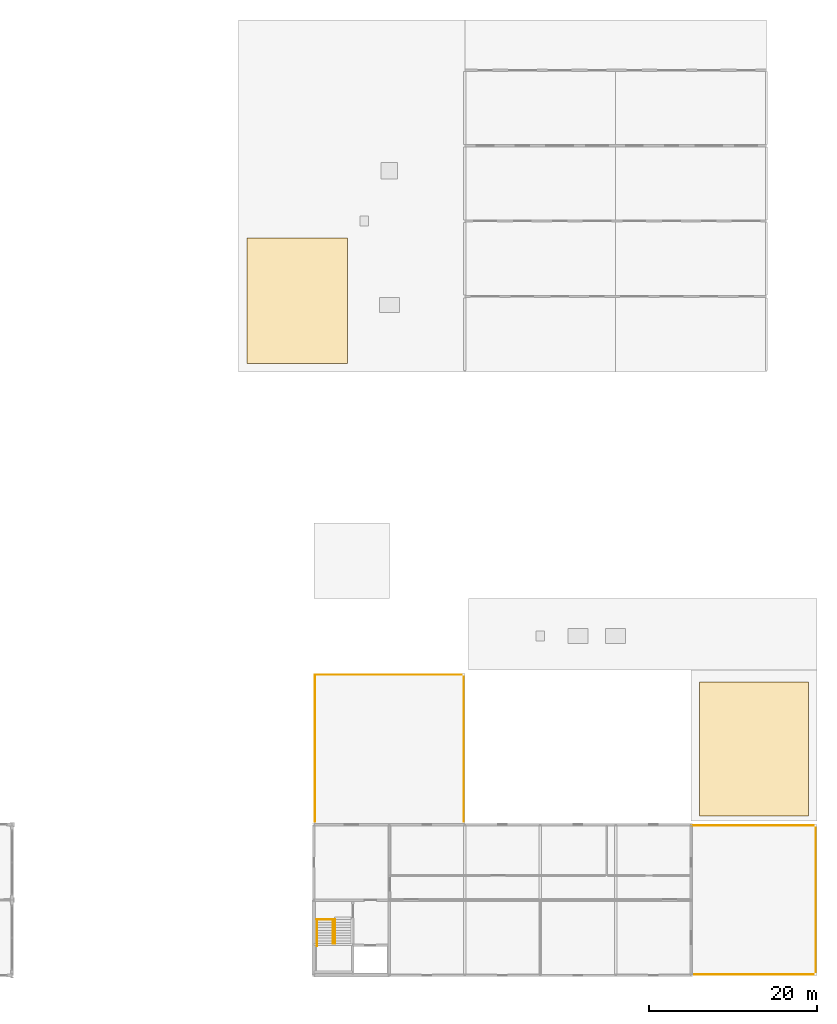
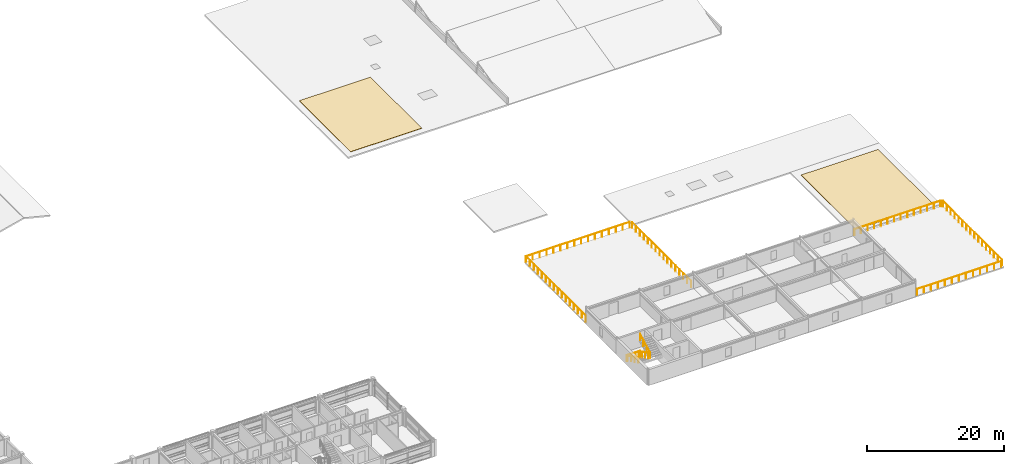
# One storey, part 37 of 37: 9 railings, 2 coverings.
"""IFC4 building model written with IfcOpenShell, lengths in metres."""

from ifc_helpers import new_model, si_unit, direction, frame, origin, origin_2d, place, context, subcontext, project, spatial, polyline, circle, outline, extrude, material, layer, layer_set, type_object, element, save


model = new_model("IFC4")

# Units and contexts
model_context = context("Model", 3, precision=1e-05, world=origin(), true_north=direction((0.0, 1.0)))
body_context = subcontext(model_context, "Body", "Model", "MODEL_VIEW")
ifc_project = project(units=[si_unit("LENGTHUNIT", "METRE"), si_unit("AREAUNIT", "SQUARE_METRE"), si_unit("VOLUMEUNIT", "CUBIC_METRE"), si_unit("PLANEANGLEUNIT", "RADIAN"), si_unit("MASSUNIT", "GRAM", prefix="KILO")], contexts=[model_context])

# Site, building, storey
site_placement = place(None, origin())
site = spatial("IfcSite", under=ifc_project, at=site_placement, CompositionType="ELEMENT")
building_placement = place(site_placement, origin())
building = spatial("IfcBuilding", under=site, at=building_placement, Name="Palais des Congres Ocreval", CompositionType="ELEMENT")
storey_placement = place(building_placement, frame((0.0, 0.0, 11.52001953125)))
storey = spatial("IfcBuildingStorey", under=building, at=storey_placement, Name="L03", CompositionType="ELEMENT", Elevation=11.52001953125)

# Railings
ifc_material_1 = material(Name="Anodized bronze aluminium", Category="aluminium")
railing_type_1 = type_object("IfcRailingType", Name="Bronze Stair and Ramp Handrail 900", PredefinedType="HANDRAIL", material=ifc_material_1)
railing_1_placement = place(storey_placement, frame((108.3798828125, 6.64990234375, 0.152099609375)))
element("IfcRailing", 1, at=railing_1_placement, inside=storey, type_object=railing_type_1, Name="Stair Wall Handrail ST09 L03", PredefinedType="HANDRAIL", context=body_context, shape_type="SweptSolid", body=[
    extrude(circle(Radius=0.02392578125, at=origin_2d()), frame((0.0, 0.0, 0.8759765625), z_axis=(0.0, -0.900648683885, 0.43454798149), x_axis=(1.0, 0.0, 0.0)), (0.0, 0.0, 1.0), 3.497314453125),
    extrude(circle(Radius=0.02099609375, at=origin_2d()), origin(), (0.0, 0.0, 1.0), 0.851806640625),
    extrude(circle(Radius=0.02099609375, at=origin_2d()), frame((0.0, -1.050048828125, 0.506591796875)), (0.0, 0.0, 1.0), 0.851806640625),
    extrude(circle(Radius=0.02099609375, at=origin_2d()), frame((0.0, -2.099853515625, 1.01318359375)), (0.0, 0.0, 1.0), 0.851806640625),
    extrude(circle(Radius=0.02099609375, at=origin_2d()), frame((0.0, -3.14990234375, 1.519775390625)), (0.0, 0.0, 1.0), 0.851806640625),
])
ifc_material_2 = material(Name="Steel S355", Category="steel")
railing_type_2 = type_object("IfcRailingType", Name="Stairwell Steel Guardrail 1100", PredefinedType="GUARDRAIL", material=ifc_material_2)
railing_2_placement = place(storey_placement, frame((108.320068359375, 6.699951171875, 0.0)))
element("IfcRailing", 2, at=railing_2_placement, inside=storey, type_object=railing_type_2, Name="Stairwell Landing Edge Guard ST09 L03", PredefinedType="GUARDRAIL", context=body_context, shape_type="SweptSolid", body=[
    extrude(circle(Radius=0.02392578125, at=origin_2d()), frame((0.0, 0.0, 1.076171875), z_axis=(1.0, 0.0, 0.0), x_axis=(0.0, 1.0, 0.0)), (0.0, 0.0, 1.0), 2.199951171875),
    extrude(circle(Radius=0.02099609375, at=origin_2d()), origin(), (0.0, 0.0, 1.0), 1.052001953125),
    extrude(circle(Radius=0.02099609375, at=origin_2d()), frame((0.7333984375, 0.0, 0.0)), (0.0, 0.0, 1.0), 1.052001953125),
    extrude(circle(Radius=0.02099609375, at=origin_2d()), frame((1.466552734375, 0.0, 0.0)), (0.0, 0.0, 1.0), 1.052001953125),
    extrude(circle(Radius=0.02099609375, at=origin_2d()), frame((2.199951171875, 0.0, 0.0)), (0.0, 0.0, 1.0), 1.052001953125),
])
railing_3_placement = place(storey_placement, frame((110.280029296875, 6.64990234375, 0.0)))
element("IfcRailing", 3, at=railing_3_placement, inside=storey, type_object=railing_type_2, Name="Stair Inner Guardrail ST09 L03", PredefinedType="GUARDRAIL", context=body_context, shape_type="SweptSolid", body=[
    extrude(circle(Radius=0.02392578125, at=origin_2d()), frame((0.0, 0.0, 1.076171875), z_axis=(0.0, -0.881312927046, 0.472533093678), x_axis=(1.0, 0.0, 0.0)), (0.0, 0.0, 1.0), 3.216796875),
    extrude(circle(Radius=0.02392578125, at=origin_2d()), frame((0.0, -2.8349609375, 2.59619140625), z_axis=(1.0, 0.0, 0.0), x_axis=(0.0, 1.0, 0.0)), (0.0, 0.0, 1.0), 0.239990234375),
    extrude(circle(Radius=0.02392578125, at=origin_2d()), frame((0.239990234375, -2.8349609375, 2.59619140625), z_axis=(0.0, 0.881312927046, 0.472533093678), x_axis=(-1.0, 0.0, 0.0)), (0.0, 0.0, 1.0), 3.216796875),
    extrude(circle(Radius=0.02099609375, at=origin_2d()), origin(), (0.0, 0.0, 1.0), 1.052001953125),
    extrude(circle(Radius=0.02099609375, at=origin_2d()), frame((0.0, -0.945068359375, 0.506591796875)), (0.0, 0.0, 1.0), 1.052001953125),
    extrude(circle(Radius=0.02099609375, at=origin_2d()), frame((0.0, -1.889892578125, 1.013427734375)), (0.0, 0.0, 1.0), 1.052001953125),
    extrude(circle(Radius=0.02099609375, at=origin_2d()), frame((0.0, -2.8349609375, 1.52001953125)), (0.0, 0.0, 1.0), 1.052001953125),
    extrude(circle(Radius=0.02099609375, at=origin_2d()), frame((0.239990234375, -2.8349609375, 1.52001953125)), (0.0, 0.0, 1.0), 1.052001953125),
    extrude(circle(Radius=0.02099609375, at=origin_2d()), frame((0.239990234375, -1.889892578125, 2.026611328125)), (0.0, 0.0, 1.0), 1.052001953125),
    extrude(circle(Radius=0.02099609375, at=origin_2d()), frame((0.239990234375, -0.945068359375, 2.533447265625)), (0.0, 0.0, 1.0), 1.052001953125),
    extrude(circle(Radius=0.02099609375, at=origin_2d()), frame((0.239990234375, 0.0, 3.0400390625)), (0.0, 0.0, 1.0), 1.052001953125),
])
railing_type_3 = type_object("IfcRailingType", Name="Terrace Bronze Balustrade 1100", PredefinedType="BALUSTRADE", material=ifc_material_1)
railing_4_placement = place(storey_placement, frame((153.3798828125, 0.1201171875, 0.0)))
element("IfcRailing", 4, at=railing_4_placement, inside=storey, type_object=railing_type_3, Name="Terrace Guard Balustrade TER-L03-V3E-1", PredefinedType="BALUSTRADE", context=body_context, shape_type="SweptSolid", body=[
    extrude(circle(Radius=0.02392578125, at=origin_2d()), frame((0.0, 0.0, 1.076171875), z_axis=(1.0, 0.0, 0.0), x_axis=(0.0, 1.0, 0.0)), (0.0, 0.0, 1.0), 14.240234375),
    extrude(circle(Radius=0.02099609375, at=origin_2d()), origin(), (0.0, 0.0, 1.0), 1.052001953125),
    extrude(circle(Radius=0.02099609375, at=origin_2d()), frame((1.186767578125, 0.0, 0.0)), (0.0, 0.0, 1.0), 1.052001953125),
    extrude(circle(Radius=0.02099609375, at=origin_2d()), frame((2.373291015625, 0.0, 0.0)), (0.0, 0.0, 1.0), 1.052001953125),
    extrude(circle(Radius=0.02099609375, at=origin_2d()), frame((3.56005859375, 0.0, 0.0)), (0.0, 0.0, 1.0), 1.052001953125),
    extrude(circle(Radius=0.02099609375, at=origin_2d()), frame((4.746826171875, 0.0, 0.0)), (0.0, 0.0, 1.0), 1.052001953125),
    extrude(circle(Radius=0.02099609375, at=origin_2d()), frame((5.933349609375, 0.0, 0.0)), (0.0, 0.0, 1.0), 1.052001953125),
    extrude(circle(Radius=0.02099609375, at=origin_2d()), frame((7.1201171875, 0.0, 0.0)), (0.0, 0.0, 1.0), 1.052001953125),
    extrude(circle(Radius=0.02099609375, at=origin_2d()), frame((8.306884765625, 0.0, 0.0)), (0.0, 0.0, 1.0), 1.052001953125),
    extrude(circle(Radius=0.02099609375, at=origin_2d()), frame((9.493408203125, 0.0, 0.0)), (0.0, 0.0, 1.0), 1.052001953125),
    extrude(circle(Radius=0.02099609375, at=origin_2d()), frame((10.68017578125, 0.0, 0.0)), (0.0, 0.0, 1.0), 1.052001953125),
    extrude(circle(Radius=0.02099609375, at=origin_2d()), frame((11.866943359375, 0.0, 0.0)), (0.0, 0.0, 1.0), 1.052001953125),
    extrude(circle(Radius=0.02099609375, at=origin_2d()), frame((13.053466796875, 0.0, 0.0)), (0.0, 0.0, 1.0), 1.052001953125),
    extrude(circle(Radius=0.02099609375, at=origin_2d()), frame((14.240234375, 0.0, 0.0)), (0.0, 0.0, 1.0), 1.052001953125),
])
railing_5_placement = place(storey_placement, frame((167.8798828125, 0.3798828125, 0.0)))
element("IfcRailing", 5, at=railing_5_placement, inside=storey, type_object=railing_type_3, Name="Terrace Guard Balustrade TER-L03-V3E-2", PredefinedType="BALUSTRADE", context=body_context, shape_type="SweptSolid", body=[
    extrude(circle(Radius=0.02392578125, at=origin_2d()), frame((0.0, 0.0, 1.076171875), z_axis=(0.0, 1.0, 0.0), x_axis=(-1.0, 0.0, 0.0)), (0.0, 0.0, 1.0), 17.240234375),
    extrude(circle(Radius=0.02099609375, at=origin_2d()), origin(), (0.0, 0.0, 1.0), 1.052001953125),
    extrude(circle(Radius=0.02099609375, at=origin_2d()), frame((0.0, 1.1494140625, 0.0)), (0.0, 0.0, 1.0), 1.052001953125),
    extrude(circle(Radius=0.02099609375, at=origin_2d()), frame((0.0, 2.298583984375, 0.0)), (0.0, 0.0, 1.0), 1.052001953125),
    extrude(circle(Radius=0.02099609375, at=origin_2d()), frame((0.0, 3.447998046875, 0.0)), (0.0, 0.0, 1.0), 1.052001953125),
    extrude(circle(Radius=0.02099609375, at=origin_2d()), frame((0.0, 4.597412109375, 0.0)), (0.0, 0.0, 1.0), 1.052001953125),
    extrude(circle(Radius=0.02099609375, at=origin_2d()), frame((0.0, 5.746826171875, 0.0)), (0.0, 0.0, 1.0), 1.052001953125),
    extrude(circle(Radius=0.02099609375, at=origin_2d()), frame((0.0, 6.89599609375, 0.0)), (0.0, 0.0, 1.0), 1.052001953125),
    extrude(circle(Radius=0.02099609375, at=origin_2d()), frame((0.0, 8.04541015625, 0.0)), (0.0, 0.0, 1.0), 1.052001953125),
    extrude(circle(Radius=0.02099609375, at=origin_2d()), frame((0.0, 9.19482421875, 0.0)), (0.0, 0.0, 1.0), 1.052001953125),
    extrude(circle(Radius=0.02099609375, at=origin_2d()), frame((0.0, 10.34423828125, 0.0)), (0.0, 0.0, 1.0), 1.052001953125),
    extrude(circle(Radius=0.02099609375, at=origin_2d()), frame((0.0, 11.493408203125, 0.0)), (0.0, 0.0, 1.0), 1.052001953125),
    extrude(circle(Radius=0.02099609375, at=origin_2d()), frame((0.0, 12.642822265625, 0.0)), (0.0, 0.0, 1.0), 1.052001953125),
    extrude(circle(Radius=0.02099609375, at=origin_2d()), frame((0.0, 13.792236328125, 0.0)), (0.0, 0.0, 1.0), 1.052001953125),
    extrude(circle(Radius=0.02099609375, at=origin_2d()), frame((0.0, 14.941650390625, 0.0)), (0.0, 0.0, 1.0), 1.052001953125),
    extrude(circle(Radius=0.02099609375, at=origin_2d()), frame((0.0, 16.0908203125, 0.0)), (0.0, 0.0, 1.0), 1.052001953125),
    extrude(circle(Radius=0.02099609375, at=origin_2d()), frame((0.0, 17.240234375, 0.0)), (0.0, 0.0, 1.0), 1.052001953125),
])
railing_6_placement = place(storey_placement, frame((167.6201171875, 17.8798828125, 0.0)))
element("IfcRailing", 6, at=railing_6_placement, inside=storey, type_object=railing_type_3, Name="Terrace Guard Balustrade TER-L03-V3E-3", PredefinedType="BALUSTRADE", context=body_context, shape_type="SweptSolid", body=[
    extrude(circle(Radius=0.02392578125, at=origin_2d()), frame((0.0, 0.0, 1.076171875), z_axis=(-1.0, 0.0, 0.0), x_axis=(0.0, -1.0, 0.0)), (0.0, 0.0, 1.0), 14.5),
    extrude(circle(Radius=0.02099609375, at=origin_2d()), origin(), (0.0, 0.0, 1.0), 1.052001953125),
    extrude(circle(Radius=0.02099609375, at=origin_2d()), frame((-1.115478515625, 0.0, 0.0)), (0.0, 0.0, 1.0), 1.052001953125),
    extrude(circle(Radius=0.02099609375, at=origin_2d()), frame((-2.230712890625, 0.0, 0.0)), (0.0, 0.0, 1.0), 1.052001953125),
    extrude(circle(Radius=0.02099609375, at=origin_2d()), frame((-3.34619140625, 0.0, 0.0)), (0.0, 0.0, 1.0), 1.052001953125),
    extrude(circle(Radius=0.02099609375, at=origin_2d()), frame((-4.46142578125, 0.0, 0.0)), (0.0, 0.0, 1.0), 1.052001953125),
    extrude(circle(Radius=0.02099609375, at=origin_2d()), frame((-5.576904296875, 0.0, 0.0)), (0.0, 0.0, 1.0), 1.052001953125),
    extrude(circle(Radius=0.02099609375, at=origin_2d()), frame((-6.6923828125, 0.0, 0.0)), (0.0, 0.0, 1.0), 1.052001953125),
    extrude(circle(Radius=0.02099609375, at=origin_2d()), frame((-7.8076171875, 0.0, 0.0)), (0.0, 0.0, 1.0), 1.052001953125),
    extrude(circle(Radius=0.02099609375, at=origin_2d()), frame((-8.923095703125, 0.0, 0.0)), (0.0, 0.0, 1.0), 1.052001953125),
    extrude(circle(Radius=0.02099609375, at=origin_2d()), frame((-10.03857421875, 0.0, 0.0)), (0.0, 0.0, 1.0), 1.052001953125),
    extrude(circle(Radius=0.02099609375, at=origin_2d()), frame((-11.15380859375, 0.0, 0.0)), (0.0, 0.0, 1.0), 1.052001953125),
    extrude(circle(Radius=0.02099609375, at=origin_2d()), frame((-12.269287109375, 0.0, 0.0)), (0.0, 0.0, 1.0), 1.052001953125),
    extrude(circle(Radius=0.02099609375, at=origin_2d()), frame((-13.384521484375, 0.0, 0.0)), (0.0, 0.0, 1.0), 1.052001953125),
    extrude(circle(Radius=0.02099609375, at=origin_2d()), frame((-14.5, 0.0, 0.0)), (0.0, 0.0, 1.0), 1.052001953125),
])
railing_7_placement = place(storey_placement, frame((125.8798828125, 18.3798828125, 0.0)))
element("IfcRailing", 7, at=railing_7_placement, inside=storey, type_object=railing_type_3, Name="Terrace Guard Balustrade TER-L03-V3N-2", PredefinedType="BALUSTRADE", context=body_context, shape_type="SweptSolid", body=[
    extrude(circle(Radius=0.02392578125, at=origin_2d()), frame((0.0, 0.0, 1.076171875), z_axis=(0.0, 1.0, 0.0), x_axis=(-1.0, 0.0, 0.0)), (0.0, 0.0, 1.0), 17.240234375),
    extrude(circle(Radius=0.02099609375, at=origin_2d()), origin(), (0.0, 0.0, 1.0), 1.052001953125),
    extrude(circle(Radius=0.02099609375, at=origin_2d()), frame((0.0, 1.1494140625, 0.0)), (0.0, 0.0, 1.0), 1.052001953125),
    extrude(circle(Radius=0.02099609375, at=origin_2d()), frame((0.0, 2.298583984375, 0.0)), (0.0, 0.0, 1.0), 1.052001953125),
    extrude(circle(Radius=0.02099609375, at=origin_2d()), frame((0.0, 3.447998046875, 0.0)), (0.0, 0.0, 1.0), 1.052001953125),
    extrude(circle(Radius=0.02099609375, at=origin_2d()), frame((0.0, 4.597412109375, 0.0)), (0.0, 0.0, 1.0), 1.052001953125),
    extrude(circle(Radius=0.02099609375, at=origin_2d()), frame((0.0, 5.746826171875, 0.0)), (0.0, 0.0, 1.0), 1.052001953125),
    extrude(circle(Radius=0.02099609375, at=origin_2d()), frame((0.0, 6.89599609375, 0.0)), (0.0, 0.0, 1.0), 1.052001953125),
    extrude(circle(Radius=0.02099609375, at=origin_2d()), frame((0.0, 8.04541015625, 0.0)), (0.0, 0.0, 1.0), 1.052001953125),
    extrude(circle(Radius=0.02099609375, at=origin_2d()), frame((0.0, 9.19482421875, 0.0)), (0.0, 0.0, 1.0), 1.052001953125),
    extrude(circle(Radius=0.02099609375, at=origin_2d()), frame((0.0, 10.34423828125, 0.0)), (0.0, 0.0, 1.0), 1.052001953125),
    extrude(circle(Radius=0.02099609375, at=origin_2d()), frame((0.0, 11.493408203125, 0.0)), (0.0, 0.0, 1.0), 1.052001953125),
    extrude(circle(Radius=0.02099609375, at=origin_2d()), frame((0.0, 12.642822265625, 0.0)), (0.0, 0.0, 1.0), 1.052001953125),
    extrude(circle(Radius=0.02099609375, at=origin_2d()), frame((0.0, 13.792236328125, 0.0)), (0.0, 0.0, 1.0), 1.052001953125),
    extrude(circle(Radius=0.02099609375, at=origin_2d()), frame((0.0, 14.941650390625, 0.0)), (0.0, 0.0, 1.0), 1.052001953125),
    extrude(circle(Radius=0.02099609375, at=origin_2d()), frame((0.0, 16.0908203125, 0.0)), (0.0, 0.0, 1.0), 1.052001953125),
    extrude(circle(Radius=0.02099609375, at=origin_2d()), frame((0.0, 17.240234375, 0.0)), (0.0, 0.0, 1.0), 1.052001953125),
])
railing_8_placement = place(storey_placement, frame((125.6201171875, 35.8798828125, 0.0)))
element("IfcRailing", 8, at=railing_8_placement, inside=storey, type_object=railing_type_3, Name="Terrace Guard Balustrade TER-L03-V3N-3", PredefinedType="BALUSTRADE", context=body_context, shape_type="SweptSolid", body=[
    extrude(circle(Radius=0.02392578125, at=origin_2d()), frame((0.0, 0.0, 1.076171875), z_axis=(-1.0, 0.0, 0.0), x_axis=(0.0, -1.0, 0.0)), (0.0, 0.0, 1.0), 17.5),
    extrude(circle(Radius=0.02099609375, at=origin_2d()), origin(), (0.0, 0.0, 1.0), 1.052001953125),
    extrude(circle(Radius=0.02099609375, at=origin_2d()), frame((-1.166748046875, 0.0, 0.0)), (0.0, 0.0, 1.0), 1.052001953125),
    extrude(circle(Radius=0.02099609375, at=origin_2d()), frame((-2.333251953125, 0.0, 0.0)), (0.0, 0.0, 1.0), 1.052001953125),
    extrude(circle(Radius=0.02099609375, at=origin_2d()), frame((-3.5, 0.0, 0.0)), (0.0, 0.0, 1.0), 1.052001953125),
    extrude(circle(Radius=0.02099609375, at=origin_2d()), frame((-4.666748046875, 0.0, 0.0)), (0.0, 0.0, 1.0), 1.052001953125),
    extrude(circle(Radius=0.02099609375, at=origin_2d()), frame((-5.833251953125, 0.0, 0.0)), (0.0, 0.0, 1.0), 1.052001953125),
    extrude(circle(Radius=0.02099609375, at=origin_2d()), frame((-7.0, 0.0, 0.0)), (0.0, 0.0, 1.0), 1.052001953125),
    extrude(circle(Radius=0.02099609375, at=origin_2d()), frame((-8.166748046875, 0.0, 0.0)), (0.0, 0.0, 1.0), 1.052001953125),
    extrude(circle(Radius=0.02099609375, at=origin_2d()), frame((-9.333251953125, 0.0, 0.0)), (0.0, 0.0, 1.0), 1.052001953125),
    extrude(circle(Radius=0.02099609375, at=origin_2d()), frame((-10.5, 0.0, 0.0)), (0.0, 0.0, 1.0), 1.052001953125),
    extrude(circle(Radius=0.02099609375, at=origin_2d()), frame((-11.666748046875, 0.0, 0.0)), (0.0, 0.0, 1.0), 1.052001953125),
    extrude(circle(Radius=0.02099609375, at=origin_2d()), frame((-12.833251953125, 0.0, 0.0)), (0.0, 0.0, 1.0), 1.052001953125),
    extrude(circle(Radius=0.02099609375, at=origin_2d()), frame((-14.0, 0.0, 0.0)), (0.0, 0.0, 1.0), 1.052001953125),
    extrude(circle(Radius=0.02099609375, at=origin_2d()), frame((-15.166748046875, 0.0, 0.0)), (0.0, 0.0, 1.0), 1.052001953125),
    extrude(circle(Radius=0.02099609375, at=origin_2d()), frame((-16.333251953125, 0.0, 0.0)), (0.0, 0.0, 1.0), 1.052001953125),
    extrude(circle(Radius=0.02099609375, at=origin_2d()), frame((-17.5, 0.0, 0.0)), (0.0, 0.0, 1.0), 1.052001953125),
])
railing_9_placement = place(storey_placement, frame((108.1201171875, 35.8798828125, 0.0)))
element("IfcRailing", 9, at=railing_9_placement, inside=storey, type_object=railing_type_3, Name="Terrace Guard Balustrade TER-L03-V3N-4", PredefinedType="BALUSTRADE", context=body_context, shape_type="SweptSolid", body=[
    extrude(circle(Radius=0.02392578125, at=origin_2d()), frame((0.0, 0.0, 1.076171875), z_axis=(0.0, -1.0, 0.0), x_axis=(1.0, 0.0, 0.0)), (0.0, 0.0, 1.0), 17.5),
    extrude(circle(Radius=0.02099609375, at=origin_2d()), origin(), (0.0, 0.0, 1.0), 1.052001953125),
    extrude(circle(Radius=0.02099609375, at=origin_2d()), frame((0.0, -1.166748046875, 0.0)), (0.0, 0.0, 1.0), 1.052001953125),
    extrude(circle(Radius=0.02099609375, at=origin_2d()), frame((0.0, -2.333251953125, 0.0)), (0.0, 0.0, 1.0), 1.052001953125),
    extrude(circle(Radius=0.02099609375, at=origin_2d()), frame((0.0, -3.5, 0.0)), (0.0, 0.0, 1.0), 1.052001953125),
    extrude(circle(Radius=0.02099609375, at=origin_2d()), frame((0.0, -4.666748046875, 0.0)), (0.0, 0.0, 1.0), 1.052001953125),
    extrude(circle(Radius=0.02099609375, at=origin_2d()), frame((0.0, -5.833251953125, 0.0)), (0.0, 0.0, 1.0), 1.052001953125),
    extrude(circle(Radius=0.02099609375, at=origin_2d()), frame((0.0, -7.0, 0.0)), (0.0, 0.0, 1.0), 1.052001953125),
    extrude(circle(Radius=0.02099609375, at=origin_2d()), frame((0.0, -8.166748046875, 0.0)), (0.0, 0.0, 1.0), 1.052001953125),
    extrude(circle(Radius=0.02099609375, at=origin_2d()), frame((0.0, -9.333251953125, 0.0)), (0.0, 0.0, 1.0), 1.052001953125),
    extrude(circle(Radius=0.02099609375, at=origin_2d()), frame((0.0, -10.5, 0.0)), (0.0, 0.0, 1.0), 1.052001953125),
    extrude(circle(Radius=0.02099609375, at=origin_2d()), frame((0.0, -11.666748046875, 0.0)), (0.0, 0.0, 1.0), 1.052001953125),
    extrude(circle(Radius=0.02099609375, at=origin_2d()), frame((0.0, -12.833251953125, 0.0)), (0.0, 0.0, 1.0), 1.052001953125),
    extrude(circle(Radius=0.02099609375, at=origin_2d()), frame((0.0, -14.0, 0.0)), (0.0, 0.0, 1.0), 1.052001953125),
    extrude(circle(Radius=0.02099609375, at=origin_2d()), frame((0.0, -15.166748046875, 0.0)), (0.0, 0.0, 1.0), 1.052001953125),
    extrude(circle(Radius=0.02099609375, at=origin_2d()), frame((0.0, -16.333251953125, 0.0)), (0.0, 0.0, 1.0), 1.052001953125),
    extrude(circle(Radius=0.02099609375, at=origin_2d()), frame((0.0, -17.5, 0.0)), (0.0, 0.0, 1.0), 1.052001953125),
])

# Coverings
ifc_material_3 = material(Name="Planted roof substrate and EPDM membrane")
ifc_layer = layer(ifc_material_3, 0.06005859375)
ifc_layer_set = layer_set([ifc_layer], Name="Vegetated Intensive Roof Membrane 60 (Planted roof substrate and EPDM membrane)")
covering_type = type_object("IfcCoveringType", Name="Vegetated Intensive Roof Membrane 60", PredefinedType="ROOFING", material=ifc_layer_set)
covering_1_placement = place(storey_placement, origin())
element("IfcCovering", 10, at=covering_1_placement, inside=storey, type_object=covering_type, Name="Vegetated Roof Covering CV01 L03-4", PredefinedType="ROOFING", context=body_context, shape_type="SweptSolid", body=[
    extrude(outline(polyline([(100.0, 73.0), (112.0, 73.0), (112.0, 88.0), (100.0, 88.0), (100.0, 73.0)])), origin(), (0.0, 0.0, 1.0), 0.06005859375),
])
covering_2_placement = place(storey_placement, origin())
element("IfcCovering", 11, at=covering_2_placement, inside=storey, type_object=covering_type, Name="Vegetated Roof Covering CV01 L03-5", PredefinedType="ROOFING", context=body_context, shape_type="SweptSolid", body=[
    extrude(outline(polyline([(154.0, 19.0), (167.0, 19.0), (167.0, 35.0), (154.0, 35.0), (154.0, 19.0)])), origin(), (0.0, 0.0, 1.0), 0.06005859375),
])

save(model, "model.ifc")
